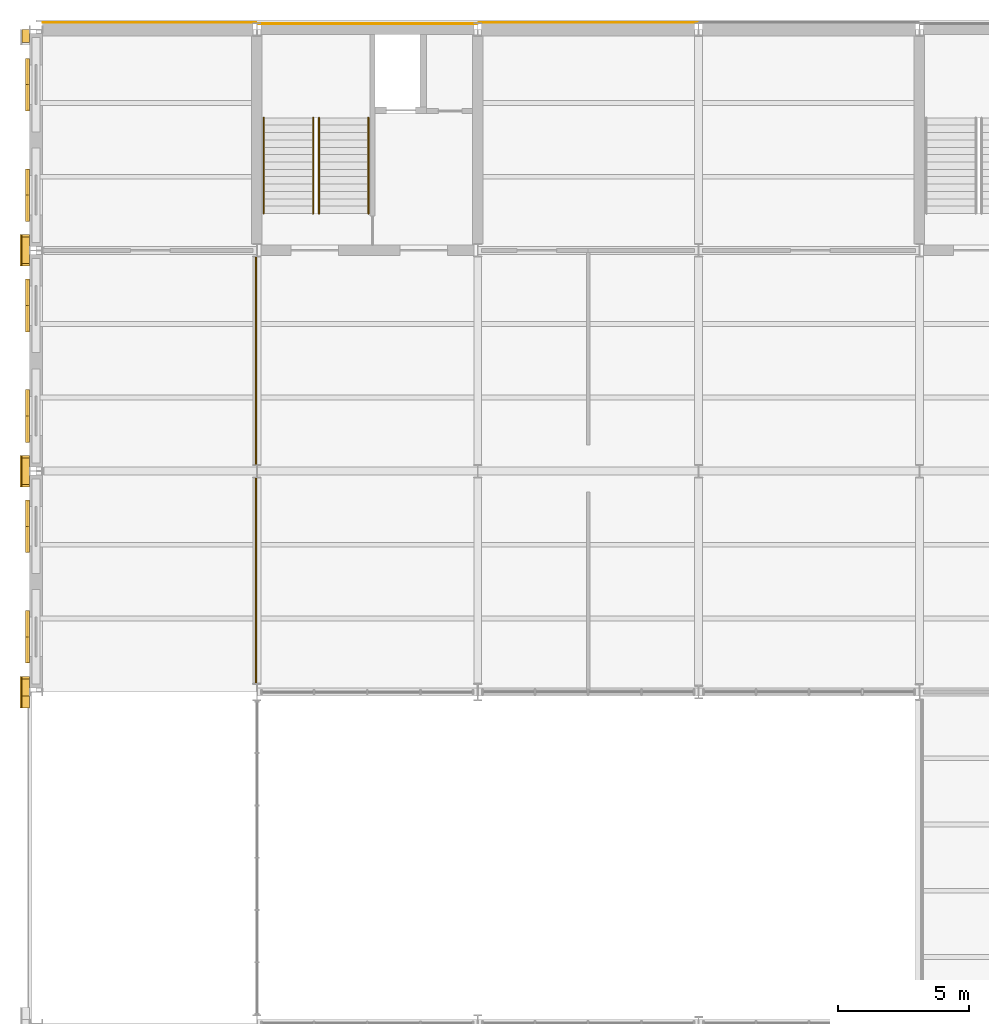
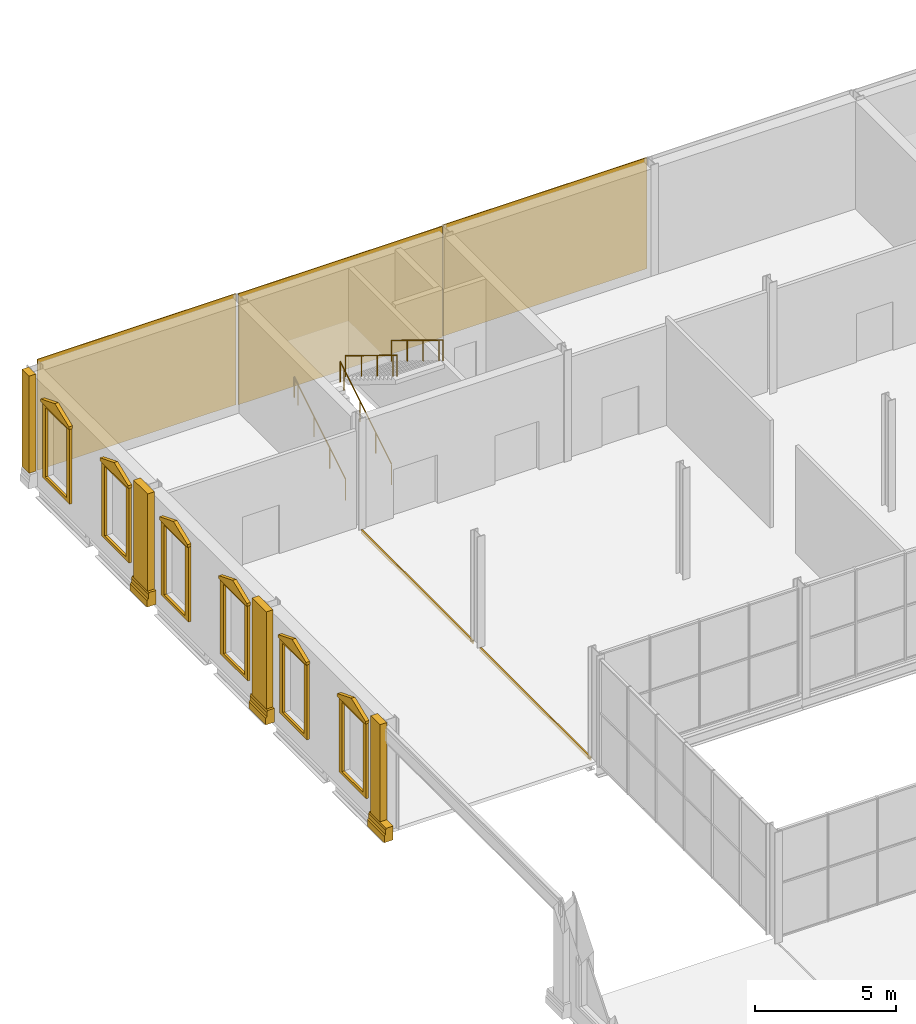
# One storey, part 48 of 61: 24 coverings, 4 railings.
"""IFC4 building model written with IfcOpenShell, lengths in metres."""

import ifcopenshell
import ifcopenshell.guid

model = None  # the IFC model being written
_history = None  # IfcOwnerHistory: only IFC2X3 demands one
_inside = {}  # id of a spatial element -> (the spatial element, [elements in it])
_under = {}  # id of a project, library or spatial element -> (it, [spatial elements below it])
_declared = {}  # id of a project -> (the project, [libraries it declares])
_typed = {}  # id of a type object -> (the type object, [elements of that type])
_made_of = {}  # id of a material, layer set ... -> (it, [elements and type objects made of it])


def new_model(schema):
    """Start an empty IFC model of exactly this schema.

    Asked for "IFC4X3", IfcOpenShell would pick the latest addendum, in which some entities
    have other attributes; the version numbers below select the first issue.
    IFC2X3 requires an IfcOwnerHistory on every rooted entity: one is made here for all.
    """
    global model, _history
    if schema == "IFC4X3":
        model = ifcopenshell.file(schema_version=(4, 3, 0, 0))
    else:
        model = ifcopenshell.file(schema=schema)
    _inside.clear()
    _under.clear()
    _declared.clear()
    _typed.clear()
    _made_of.clear()
    _history = None
    if model.schema == "IFC2X3":
        org = make("IfcOrganization", Name="unknown")
        user = make(
            "IfcPersonAndOrganization",
            ThePerson=make("IfcPerson", FamilyName="unknown"),
            TheOrganization=org,
        )
        app = make(
            "IfcApplication",
            ApplicationDeveloper=org,
            Version="unknown",
            ApplicationFullName="unknown",
            ApplicationIdentifier="unknown",
        )
        _history = make(
            "IfcOwnerHistory",
            OwningUser=user,
            OwningApplication=app,
            ChangeAction="ADDED",
            CreationDate=0,
        )
    return model


def make(cls, **values):
    """One entity of the class cls with the attributes given. An attribute that is None is left unset."""
    return model.create_entity(
        cls, **{name: value for name, value in values.items() if value is not None}
    )


def rooted(cls, **values):
    """An entity with a GlobalId (a new one), such as an element, a storey or a relation."""
    return make(cls, GlobalId=ifcopenshell.guid.new(), OwnerHistory=_history, **values)


def si_unit(unit_type, name, prefix=None):
    """IfcSIUnit, for example si_unit("LENGTHUNIT", "METRE", prefix="MILLI")."""
    return make("IfcSIUnit", UnitType=unit_type, Prefix=prefix, Name=name)


def assignment(units):
    """IfcUnitAssignment: the units of a project."""
    return None if units is None else make("IfcUnitAssignment", Units=units)


def point(xyz):
    """IfcCartesianPoint."""
    return None if xyz is None else make("IfcCartesianPoint", Coordinates=xyz)


def direction(xyz):
    """IfcDirection."""
    return None if xyz is None else make("IfcDirection", DirectionRatios=xyz)


def frame(location, z_axis=None, x_axis=None):
    """IfcAxis2Placement3D, a coordinate frame: its origin and axes. An axis left out is left unset."""
    return make(
        "IfcAxis2Placement3D",
        Location=point(location),
        Axis=direction(z_axis),
        RefDirection=direction(x_axis),
    )


def frame_2d(location, x_axis=None):
    """IfcAxis2Placement2D, a coordinate frame in the plane: its origin and x axis."""
    return make(
        "IfcAxis2Placement2D", Location=point(location), RefDirection=direction(x_axis)
    )


def origin():
    """The frame at (0, 0, 0) with its axes left unset."""
    return frame((0.0, 0.0, 0.0))


def origin_2d():
    """The frame at (0, 0) in the plane with its x axis left unset."""
    return frame_2d((0.0, 0.0))


def place(relative_to, where):
    """IfcLocalPlacement: puts the frame where relative to a parent placement (None: the world)."""
    return make(
        "IfcLocalPlacement", PlacementRelTo=relative_to, RelativePlacement=where
    )


def context(
    kind, dimensions, precision=None, world=None, true_north=None, identifier=None
):
    """IfcGeometricRepresentationContext, for example the 3D "Model" context."""
    return make(
        "IfcGeometricRepresentationContext",
        ContextIdentifier=identifier,
        ContextType=kind,
        CoordinateSpaceDimension=dimensions,
        Precision=precision,
        WorldCoordinateSystem=world,
        TrueNorth=true_north,
    )


def subcontext(parent, identifier, kind, view, scale=None):
    """IfcGeometricRepresentationSubContext, for example "Body" below "Model"."""
    return make(
        "IfcGeometricRepresentationSubContext",
        ContextIdentifier=identifier,
        ContextType=kind,
        ParentContext=parent,
        TargetScale=scale,
        TargetView=view,
    )


def project(units=None, contexts=None):
    """IfcProject with its units and contexts."""
    return rooted(
        "IfcProject",
        Name="project",
        RepresentationContexts=contexts,
        UnitsInContext=assignment(units),
    )


def spatial(cls, under=None, at=None, **own):
    """A site, building, storey or space (cls), placed at a placement, below another one or the project."""
    s = rooted(cls, ObjectPlacement=at, **own)
    if under is not None:
        _under.setdefault(under.id(), (under, []))[1].append(s)
    return s


def polyline(points):
    """IfcPolyline through the points."""
    return make("IfcPolyline", Points=[point(p) for p in points])


def profile(cls, at=None, kind="AREA", **sizes):
    """A parametric profile (cls). Its sizes go by their IFC names, for example OverallWidth=200.0."""
    return make(cls, ProfileType=kind, Position=at, **sizes)


def rectangle(**sizes):
    """IfcRectangleProfileDef."""
    return profile("IfcRectangleProfileDef", **sizes)


def circle(**sizes):
    """IfcCircleProfileDef."""
    return profile("IfcCircleProfileDef", **sizes)


def outline(outer, holes=None, kind="AREA"):
    """IfcArbitraryClosedProfileDef: a profile drawn as a closed curve; with holes, ...WithVoids."""
    if holes is None:
        return make("IfcArbitraryClosedProfileDef", ProfileType=kind, OuterCurve=outer)
    return make(
        "IfcArbitraryProfileDefWithVoids",
        ProfileType=kind,
        OuterCurve=outer,
        InnerCurves=holes,
    )


def extrude(swept, where, along, depth):
    """IfcExtrudedAreaSolid: the profile swept, set in the frame where, extruded along a direction by depth."""
    return make(
        "IfcExtrudedAreaSolid",
        SweptArea=swept,
        Position=where,
        ExtrudedDirection=direction(along),
        Depth=depth,
    )


def shape(context_of_items, identifier, shape_type, items):
    """IfcShapeRepresentation: the items that make up one representation, for example the "Body"."""
    return make(
        "IfcShapeRepresentation",
        ContextOfItems=context_of_items,
        RepresentationIdentifier=identifier,
        RepresentationType=shape_type,
        Items=items,
    )


def material(Name=None, Category=None):
    """IfcMaterial."""
    return make("IfcMaterial", Name=Name, Category=Category)


def layer(
    of_material, thickness, ventilated=None, Name=None, Category=None, Priority=None
):
    """IfcMaterialLayer: one layer of a wall or slab, of a material (None: an air gap)."""
    return make(
        "IfcMaterialLayer",
        Material=of_material,
        LayerThickness=thickness,
        IsVentilated=ventilated,
        Name=Name,
        Category=Category,
        Priority=Priority,
    )


def layer_set(layers, Name=None):
    """IfcMaterialLayerSet."""
    return make("IfcMaterialLayerSet", MaterialLayers=layers, LayerSetName=Name)


def made_of(thing, what):
    """Note that an element or type object is made of a material, layer set ...; save() writes the relation."""
    if what is not None:
        _made_of.setdefault(what.id(), (what, []))[1].append(thing)
    return thing


def type_object(cls, material=None, **own):
    """A type object (cls), such as IfcWallType, which elements share."""
    return made_of(rooted(cls, **own), material)


def element(
    cls,
    number,
    at=None,
    inside=None,
    cuts=None,
    type_object=None,
    material=None,
    context=None,
    identifier="Body",
    shape_type=None,
    held_by="IfcProductDefinitionShape",
    body=None,
    shapes=None,
    **own,
):
    """One element of the class cls, such as IfcWall. Its Tag is "e" and its number.

    at: its placement. inside: the storey or other place that contains it. cuts: it is an
    opening in that element (IfcRelVoidsElement). A single representation is given by context,
    identifier, shape_type and body (its items); several are given by shapes. held_by: the class
    of the entity that holds the representations. save() writes the other relations.
    """
    e = rooted(cls, Tag="e%d" % number, ObjectPlacement=at, **own)
    if body is not None:
        shapes = [shape(context, identifier, shape_type, body)]
    if shapes is not None:
        e.Representation = make(held_by, Representations=shapes)
    if inside is not None:
        _inside.setdefault(inside.id(), (inside, []))[1].append(e)
    if cuts is not None:
        rooted(
            "IfcRelVoidsElement", RelatingBuildingElement=cuts, RelatedOpeningElement=e
        )
    if type_object is not None:
        _typed.setdefault(type_object.id(), (type_object, []))[1].append(e)
    return made_of(e, material)


def aggregate(whole, parts):
    """IfcRelAggregates: a whole, such as a stair, and the parts it consists of."""
    return rooted("IfcRelAggregates", RelatingObject=whole, RelatedObjects=parts)


def save(model, path):
    """Write the relations noted so far, then the file.

    IfcRelAggregates (storeys below a building ...), IfcRelContainedInSpatialStructure (elements
    in a storey), IfcRelDefinesByType, IfcRelAssociatesMaterial and IfcRelDeclares: one each for
    every whole, place, type object, material and project.
    """
    for whole, parts in _under.values():
        aggregate(whole, parts)
    for where, things in _inside.values():
        rooted(
            "IfcRelContainedInSpatialStructure",
            RelatedElements=things,
            RelatingStructure=where,
        )
    for kind, things in _typed.values():
        rooted("IfcRelDefinesByType", RelatedObjects=things, RelatingType=kind)
    for what, things in _made_of.values():
        rooted("IfcRelAssociatesMaterial", RelatedObjects=things, RelatingMaterial=what)
    for by, libraries in _declared.values():
        rooted("IfcRelDeclares", RelatingContext=by, RelatedDefinitions=libraries)
    model.write(path)


model = new_model("IFC4")

# Units and contexts
model_context = context("Model", 3, precision=1e-05, world=origin(), true_north=direction((0.0, 1.0)))
body_context = subcontext(model_context, "Body", "Model", "MODEL_VIEW")
ifc_project = project(units=[si_unit("LENGTHUNIT", "METRE"), si_unit("AREAUNIT", "SQUARE_METRE"), si_unit("VOLUMEUNIT", "CUBIC_METRE"), si_unit("PLANEANGLEUNIT", "RADIAN"), si_unit("MASSUNIT", "GRAM", prefix="KILO")], contexts=[model_context])

# Site, building, storey
site_placement = place(None, origin())
site = spatial("IfcSite", under=ifc_project, at=site_placement, CompositionType="ELEMENT")
building_placement = place(site_placement, origin())
building = spatial("IfcBuilding", under=site, at=building_placement, Name="Galleria Vessillo Department Store", CompositionType="ELEMENT")
storey_placement = place(building_placement, frame((0.0, 0.0, 11.39990234375)))
storey = spatial("IfcBuildingStorey", under=building, at=storey_placement, Name="L02", CompositionType="ELEMENT", Elevation=11.39990234375)

# Coverings
ifc_material_1 = material(Name="Lime plaster (intonaco) ochre")
ifc_layer_1 = layer(ifc_material_1, 0.030029296875)
ifc_layer_set_1 = layer_set([ifc_layer_1], Name="Lime plaster (intonaco) ochre")
covering_type_1 = type_object("IfcCoveringType", Name="Lime plaster render 30 mm", PredefinedType="CLADDING", material=ifc_layer_set_1)
covering_1_placement = place(storey_placement, frame((4.31005859375, 63.264892578125, 0.0), z_axis=(0.0, 0.0, 1.0), x_axis=(1.0, 0.0, 0.0)))
element("IfcCovering", 1, at=covering_1_placement, inside=storey, type_object=covering_type_1, Name="Wall cladding S-PN-L02-01", PredefinedType="CLADDING", context=body_context, shape_type="SweptSolid", body=[
    extrude(rectangle(XDim=8.1201171875, YDim=0.030029296875, at=origin_2d()), origin(), (0.0, 0.0, 1.0), 4.800048828125),
])
for number, where, z_axis, x_axis, name in (
    (2, (12.599853515625, 63.215087890625, 0.0), (0.0, 0.0, 1.0), (1.0, 0.0, 0.0), "Wall cladding S-CW-PC-NW-PARTY-L02"),
    (3, (21.0, 63.264892578125, 0.0), (0.0, 0.0, 1.0), (1.0, 0.0, 0.0), "Wall cladding S-PN-L02-02"),
):
    element("IfcCovering", number, at=place(storey_placement, frame(where, z_axis=z_axis, x_axis=x_axis)), inside=storey, type_object=covering_type_1, Name=name, PredefinedType="CLADDING", context=body_context, shape_type="SweptSolid", body=[
        extrude(rectangle(XDim=8.340087890625, YDim=0.030029296875, at=origin_2d()), origin(), (0.0, 0.0, 1.0), 4.800048828125),
    ])
ifc_material_2 = material(Name="Botticino limestone ashlar", Category="masonry")
ifc_layer_2 = layer(ifc_material_2, 0.280029296875)
ifc_layer_set_2 = layer_set([ifc_layer_2], Name="Botticino limestone ashlar")
covering_type_2 = type_object("IfcCoveringType", Name="Limestone giant pilaster 1000 x 280", PredefinedType="CLADDING", material=ifc_layer_set_2)
covering_2_placement = place(storey_placement, frame((-0.389892578125, 37.97509765625, 0.60009765625), z_axis=(0.0, 0.0, 1.0), x_axis=(1.0, 0.0, 0.0)))
element("IfcCovering", 4, at=covering_2_placement, inside=storey, type_object=covering_type_2, Name="Giant pilaster W L02 y=37.8", PredefinedType="CLADDING", context=body_context, shape_type="SweptSolid", body=[
    extrude(rectangle(XDim=0.280029296875, YDim=0.64990234375, at=origin_2d()), origin(), (0.0, 0.0, 1.0), 4.199951171875),
])
for number, where, z_axis, x_axis, name in (
    (5, (-0.389892578125, 46.199951171875, 0.60009765625), (0.0, 0.0, 1.0), (1.0, 0.0, 0.0), "Giant pilaster W L02 y=46.2"),
    (6, (-0.389892578125, 54.60009765625, 0.60009765625), (0.0, 0.0, 1.0), (1.0, 0.0, 0.0), "Giant pilaster W L02 y=54.6"),
):
    element("IfcCovering", number, at=place(storey_placement, frame(where, z_axis=z_axis, x_axis=x_axis)), inside=storey, type_object=covering_type_2, Name=name, PredefinedType="CLADDING", context=body_context, shape_type="SweptSolid", body=[
        extrude(rectangle(XDim=0.280029296875, YDim=1.0, at=origin_2d()), origin(), (0.0, 0.0, 1.0), 4.199951171875),
    ])
covering_3_placement = place(storey_placement, frame((-0.389892578125, 62.75, 0.60009765625), z_axis=(0.0, 0.0, 1.0), x_axis=(1.0, 0.0, 0.0)))
element("IfcCovering", 7, at=covering_3_placement, inside=storey, type_object=covering_type_2, Name="Giant pilaster W L02 y=63.0", PredefinedType="CLADDING", context=body_context, shape_type="SweptSolid", body=[
    extrude(rectangle(XDim=0.280029296875, YDim=0.5, at=origin_2d()), origin(), (0.0, 0.0, 1.0), 4.199951171875),
])
ifc_material_3 = material(Name="Botticino limestone ashlar", Category="masonry")
ifc_layer_3 = layer(ifc_material_3, 0.360107421875)
ifc_layer_set_3 = layer_set([ifc_layer_3], Name="Botticino limestone ashlar")
covering_type_3 = type_object("IfcCoveringType", Name="Limestone pilaster base 1200 x 360 x 600", PredefinedType="CLADDING", material=ifc_layer_set_3)
for number, where, z_axis, x_axis, name in (
    (8, (0.0, 37.199951171875, 0.0), (0.0, 1.0, 0.0), (-1.0, 0.0, 0.0), "Pilaster base W y=37.8"),
    (9, (0.0, 45.599853515625, 0.0), (0.0, 1.0, 0.0), (-1.0, 0.0, 0.0), "Pilaster base W y=46.2"),
    (10, (0.0, 54.0, 0.0), (0.0, 1.0, 0.0), (-1.0, 0.0, 0.0), "Pilaster base W y=54.6"),
):
    element("IfcCovering", number, at=place(storey_placement, frame(where, z_axis=z_axis, x_axis=x_axis)), inside=storey, type_object=covering_type_3, Name=name, PredefinedType="CLADDING", context=body_context, shape_type="SweptSolid", body=[
        extrude(outline(polyline([(0.25, 0.0), (0.610107421875, 0.0), (0.610107421875, 0.280029296875), (0.56005859375, 0.340087890625), (0.56005859375, 0.52001953125), (0.530029296875, 0.60009765625), (0.25, 0.60009765625), (0.25, 0.0)])), origin(), (0.0, 0.0, 1.0), 1.199951171875),
    ])
ifc_material_4 = material(Name="Botticino limestone ashlar", Category="masonry")
ifc_layer_4 = layer(ifc_material_4, 0.14990234375)
ifc_layer_set_4 = layer_set([ifc_layer_4], Name="Botticino limestone ashlar")
covering_type_4 = type_object("IfcCoveringType", Name="Limestone slab-edge fascia 150 mm", PredefinedType="CLADDING", material=ifc_layer_set_4)
covering_4_placement = place(storey_placement, frame((8.369873046875, 42.0419921875, -0.14990234375), z_axis=(0.0, 0.0, 1.0), x_axis=(1.0, 0.0, 0.0)))
element("IfcCovering", 11, at=covering_4_placement, inside=storey, type_object=covering_type_4, Name="Slab-edge fascia LB-N-L01-01", PredefinedType="CLADDING", context=body_context, shape_type="SweptSolid", body=[
    extrude(rectangle(XDim=0.06005859375, YDim=7.81591796875, at=origin_2d()), origin(), (0.0, 0.0, 1.0), 0.14990234375),
])
covering_5_placement = place(storey_placement, frame((8.369873046875, 50.39990234375, -0.14990234375), z_axis=(0.0, 0.0, 1.0), x_axis=(1.0, 0.0, 0.0)))
element("IfcCovering", 12, at=covering_5_placement, inside=storey, type_object=covering_type_4, Name="Slab-edge fascia LB-N-L01-02", PredefinedType="CLADDING", context=body_context, shape_type="SweptSolid", body=[
    extrude(rectangle(XDim=0.06005859375, YDim=7.900146484375, at=origin_2d()), origin(), (0.0, 0.0, 1.0), 0.14990234375),
])
ifc_material_5 = material(Name="Botticino limestone ashlar", Category="masonry")
ifc_layer_5 = layer(ifc_material_5, 0.14990234375)
ifc_layer_set_5 = layer_set([ifc_layer_5], Name="Botticino limestone ashlar")
covering_type_5 = type_object("IfcCoveringType", Name="Limestone window pediment 150 mm", PredefinedType="USERDEFINED", material=ifc_layer_set_5)
for number, where, z_axis, x_axis, name in (
    (13, (-0.324951171875, 38.89990234375, 4.02001953125), (0.0, 0.0, 1.0), (0.0, 1.0, 0.0), "Window pediment W007"),
    (14, (-0.324951171875, 43.10009765625, 4.02001953125), (0.0, 0.0, 1.0), (0.0, 1.0, 0.0), "Window pediment W008"),
    (15, (-0.324951171875, 47.300048828125, 4.02001953125), (0.0, 0.0, 1.0), (0.0, 1.0, 0.0), "Window pediment W009"),
    (16, (-0.324951171875, 51.5, 4.02001953125), (0.0, 0.0, 1.0), (0.0, 1.0, 0.0), "Window pediment W010"),
    (17, (-0.324951171875, 55.699951171875, 4.02001953125), (0.0, 0.0, 1.0), (0.0, 1.0, 0.0), "Window pediment W011"),
    (18, (-0.324951171875, 59.89990234375, 4.02001953125), (0.0, 0.0, 1.0), (0.0, 1.0, 0.0), "Window pediment W012"),
):
    element("IfcCovering", number, at=place(storey_placement, frame(where, z_axis=z_axis, x_axis=x_axis)), inside=storey, type_object=covering_type_5, Name=name, ObjectType="WINDOW PEDIMENT", PredefinedType="USERDEFINED", context=body_context, shape_type="SweptSolid", body=[
        extrude(outline(polyline([(0.0, 0.0), (2.0, 0.0), (2.0, 0.119873046875), (1.0, 0.52001953125), (0.0, 0.119873046875), (0.0, 0.0)])), frame((0.0, 0.074951171875, 0.0), z_axis=(0.0, -1.0, 0.0), x_axis=(1.0, 0.0, 0.0)), (0.0, 0.0, 1.0), 0.14990234375),
    ])
ifc_material_6 = material(Name="Botticino limestone ashlar", Category="masonry")
ifc_layer_6 = layer(ifc_material_6, 0.10009765625)
ifc_layer_set_6 = layer_set([ifc_layer_6], Name="Botticino limestone ashlar")
covering_type_6 = type_object("IfcCoveringType", Name="Limestone window surround 100 mm", PredefinedType="CLADDING", material=ifc_layer_set_6)
covering_6_placement = place(storey_placement, frame((-0.25, 0.0, 0.89990234375), z_axis=(-1.0, 0.0, 0.0), x_axis=(0.0, -1.0, 0.0)))
element("IfcCovering", 19, at=covering_6_placement, inside=storey, type_object=covering_type_6, Name="Window surround W007", PredefinedType="CLADDING", context=body_context, shape_type="SweptSolid", body=[
    extrude(outline(polyline([(-38.929931640625, 3.1201171875), (-40.869873046875, 3.1201171875), (-40.869873046875, -0.139892578125), (-38.929931640625, -0.139892578125), (-38.929931640625, 3.1201171875)]), holes=[polyline([(-39.14990234375, 3.0), (-40.64990234375, 3.0), (-40.64990234375, 0.0), (-39.14990234375, 0.0), (-39.14990234375, 3.0)])]), origin(), (0.0, 0.0, 1.0), 0.10009765625),
])
covering_7_placement = place(storey_placement, frame((-0.25, 0.0, 0.89990234375), z_axis=(-1.0, 0.0, 0.0), x_axis=(0.0, -1.0, 0.0)))
element("IfcCovering", 20, at=covering_7_placement, inside=storey, type_object=covering_type_6, Name="Window surround W008", PredefinedType="CLADDING", context=body_context, shape_type="SweptSolid", body=[
    extrude(outline(polyline([(-43.130126953125, 3.1201171875), (-45.070068359375, 3.1201171875), (-45.070068359375, -0.139892578125), (-43.130126953125, -0.139892578125), (-43.130126953125, 3.1201171875)]), holes=[polyline([(-43.35009765625, 3.0), (-44.85009765625, 3.0), (-44.85009765625, 0.0), (-43.35009765625, 0.0), (-43.35009765625, 3.0)])]), origin(), (0.0, 0.0, 1.0), 0.10009765625),
])
covering_8_placement = place(storey_placement, frame((-0.25, 0.0, 0.89990234375), z_axis=(-1.0, 0.0, 0.0), x_axis=(0.0, -1.0, 0.0)))
element("IfcCovering", 21, at=covering_8_placement, inside=storey, type_object=covering_type_6, Name="Window surround W009", PredefinedType="CLADDING", context=body_context, shape_type="SweptSolid", body=[
    extrude(outline(polyline([(-47.330078125, 3.1201171875), (-49.27001953125, 3.1201171875), (-49.27001953125, -0.139892578125), (-47.330078125, -0.139892578125), (-47.330078125, 3.1201171875)]), holes=[polyline([(-47.550048828125, 3.0), (-49.050048828125, 3.0), (-49.050048828125, 0.0), (-47.550048828125, 0.0), (-47.550048828125, 3.0)])]), origin(), (0.0, 0.0, 1.0), 0.10009765625),
])
covering_9_placement = place(storey_placement, frame((-0.25, 0.0, 0.89990234375), z_axis=(-1.0, 0.0, 0.0), x_axis=(0.0, -1.0, 0.0)))
element("IfcCovering", 22, at=covering_9_placement, inside=storey, type_object=covering_type_6, Name="Window surround W010", PredefinedType="CLADDING", context=body_context, shape_type="SweptSolid", body=[
    extrude(outline(polyline([(-51.530029296875, 3.1201171875), (-53.469970703125, 3.1201171875), (-53.469970703125, -0.139892578125), (-51.530029296875, -0.139892578125), (-51.530029296875, 3.1201171875)]), holes=[polyline([(-51.75, 3.0), (-53.25, 3.0), (-53.25, 0.0), (-51.75, 0.0), (-51.75, 3.0)])]), origin(), (0.0, 0.0, 1.0), 0.10009765625),
])
covering_10_placement = place(storey_placement, frame((-0.25, 0.0, 0.89990234375), z_axis=(-1.0, 0.0, 0.0), x_axis=(0.0, -1.0, 0.0)))
element("IfcCovering", 23, at=covering_10_placement, inside=storey, type_object=covering_type_6, Name="Window surround W011", PredefinedType="CLADDING", context=body_context, shape_type="SweptSolid", body=[
    extrude(outline(polyline([(-55.72998046875, 3.1201171875), (-57.669921875, 3.1201171875), (-57.669921875, -0.139892578125), (-55.72998046875, -0.139892578125), (-55.72998046875, 3.1201171875)]), holes=[polyline([(-55.949951171875, 3.0), (-57.449951171875, 3.0), (-57.449951171875, 0.0), (-55.949951171875, 0.0), (-55.949951171875, 3.0)])]), origin(), (0.0, 0.0, 1.0), 0.10009765625),
])
covering_11_placement = place(storey_placement, frame((-0.25, 0.0, 0.89990234375), z_axis=(-1.0, 0.0, 0.0), x_axis=(0.0, -1.0, 0.0)))
element("IfcCovering", 24, at=covering_11_placement, inside=storey, type_object=covering_type_6, Name="Window surround W012", PredefinedType="CLADDING", context=body_context, shape_type="SweptSolid", body=[
    extrude(outline(polyline([(-59.929931640625, 3.1201171875), (-61.869873046875, 3.1201171875), (-61.869873046875, -0.139892578125), (-59.929931640625, -0.139892578125), (-59.929931640625, 3.1201171875)]), holes=[polyline([(-60.14990234375, 3.0), (-61.64990234375, 3.0), (-61.64990234375, 0.0), (-60.14990234375, 0.0), (-60.14990234375, 3.0)])]), origin(), (0.0, 0.0, 1.0), 0.10009765625),
])

# Railings
ifc_material_7 = material(Name="Stainless steel tube", Category="steel")
railing_type = type_object("IfcRailingType", Name="Stair handrail steel tube 48 mm", PredefinedType="HANDRAIL", material=ifc_material_7)
for number, where, name in (
    (25, (8.66015625, 56.0, 0.17138671875), "Handrail ST2 L02 flight 1A"),
    (26, (10.5400390625, 56.0, 0.17138671875), "Handrail ST2 L02 flight 1B"),
):
    element("IfcRailing", number, at=place(storey_placement, frame(where)), inside=storey, type_object=railing_type, Name=name, PredefinedType="HANDRAIL", context=body_context, shape_type="SweptSolid", body=[
        extrude(circle(Radius=0.02392578125, at=origin_2d()), frame((0.0, 0.0, 0.89599609375), z_axis=(0.0, 0.852849614702, 0.52215661894), x_axis=(-1.0, 0.0, 0.0)), (0.0, 0.0, 1.0), 1.3134765625),
        extrude(circle(Radius=0.02392578125, at=origin_2d()), frame((0.0, 1.1201171875, 1.58154296875), z_axis=(0.0, 0.852798921012, 0.522239409008), x_axis=(-1.0, 0.0, 0.0)), (0.0, 0.0, 1.0), 1.313232421875),
        extrude(circle(Radius=0.02392578125, at=origin_2d()), frame((0.0, 2.239990234375, 2.267578125), z_axis=(0.0, 0.852932391421, 0.522021393877), x_axis=(-1.0, 0.0, 0.0)), (0.0, 0.0, 1.0), 1.313232421875),
        extrude(circle(Radius=0.02392578125, at=origin_2d()), frame((0.0, 3.360107421875, 2.953125), z_axis=(0.0, 0.852729557261, 0.522352660731), x_axis=(-1.0, 0.0, 0.0)), (0.0, 0.0, 1.0), 0.328125),
        extrude(circle(Radius=0.02099609375, at=origin_2d()), origin(), (0.0, 0.0, 1.0), 0.871826171875),
        extrude(circle(Radius=0.02099609375, at=origin_2d()), frame((0.0, 1.1201171875, 0.685791015625)), (0.0, 0.0, 1.0), 0.871826171875),
        extrude(circle(Radius=0.02099609375, at=origin_2d()), frame((0.0, 2.239990234375, 1.37158203125)), (0.0, 0.0, 1.0), 0.871826171875),
        extrude(circle(Radius=0.02099609375, at=origin_2d()), frame((0.0, 3.360107421875, 2.05712890625)), (0.0, 0.0, 1.0), 0.871826171875),
        extrude(circle(Radius=0.02099609375, at=origin_2d()), frame((0.0, 3.639892578125, 2.228515625)), (0.0, 0.0, 1.0), 0.871826171875),
    ])
for number, where, name in (
    (27, (12.639892578125, 59.639892578125, 2.571533203125), "Handrail ST2 L02 flight 2A"),
    (28, (10.760009765625, 59.639892578125, 2.571533203125), "Handrail ST2 L02 flight 2B"),
):
    element("IfcRailing", number, at=place(storey_placement, frame(where)), inside=storey, type_object=railing_type, Name=name, PredefinedType="HANDRAIL", context=body_context, shape_type="SweptSolid", body=[
        extrude(circle(Radius=0.02392578125, at=origin_2d()), frame((0.0, 0.0, 0.89599609375), z_axis=(0.0, -0.852849614702, 0.52215661894), x_axis=(1.0, 0.0, 0.0)), (0.0, 0.0, 1.0), 1.3134765625),
        extrude(circle(Radius=0.02392578125, at=origin_2d()), frame((0.0, -1.1201171875, 1.58154296875), z_axis=(0.0, -0.852798921012, 0.522239409008), x_axis=(1.0, 0.0, 0.0)), (0.0, 0.0, 1.0), 1.313232421875),
        extrude(circle(Radius=0.02392578125, at=origin_2d()), frame((0.0, -2.239990234375, 2.267578125), z_axis=(0.0, -0.852932391421, 0.522021393877), x_axis=(1.0, 0.0, 0.0)), (0.0, 0.0, 1.0), 1.313232421875),
        extrude(circle(Radius=0.02392578125, at=origin_2d()), frame((0.0, -3.360107421875, 2.953125), z_axis=(0.0, -0.852729557261, 0.522352660731), x_axis=(1.0, 0.0, 0.0)), (0.0, 0.0, 1.0), 0.328125),
        extrude(circle(Radius=0.02099609375, at=origin_2d()), origin(), (0.0, 0.0, 1.0), 0.871826171875),
        extrude(circle(Radius=0.02099609375, at=origin_2d()), frame((0.0, -1.1201171875, 0.685791015625)), (0.0, 0.0, 1.0), 0.871826171875),
        extrude(circle(Radius=0.02099609375, at=origin_2d()), frame((0.0, -2.239990234375, 1.37158203125)), (0.0, 0.0, 1.0), 0.871826171875),
        extrude(circle(Radius=0.02099609375, at=origin_2d()), frame((0.0, -3.360107421875, 2.05712890625)), (0.0, 0.0, 1.0), 0.871826171875),
        extrude(circle(Radius=0.02099609375, at=origin_2d()), frame((0.0, -3.639892578125, 2.228515625)), (0.0, 0.0, 1.0), 0.871826171875),
    ])

save(model, "model.ifc")
